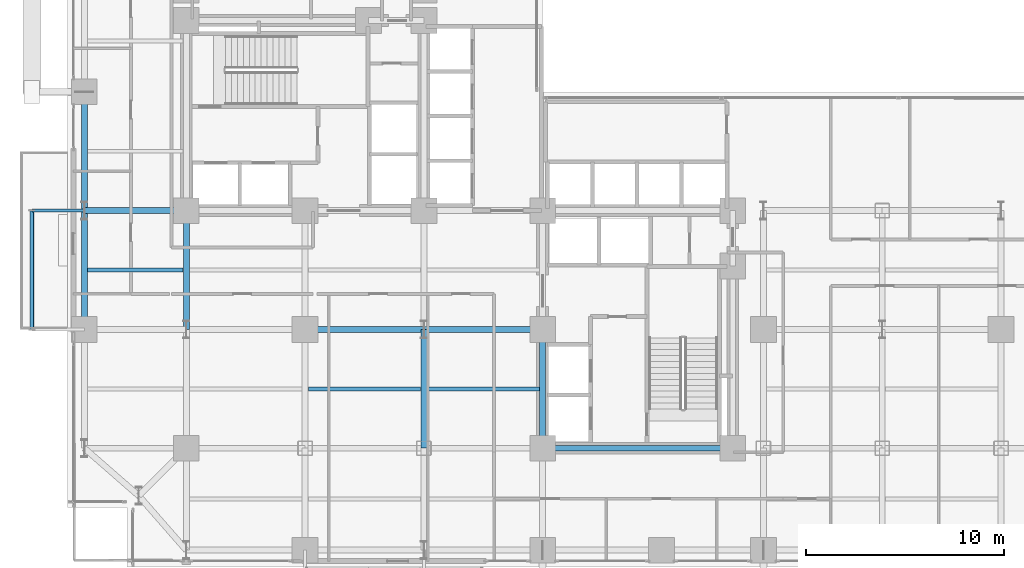
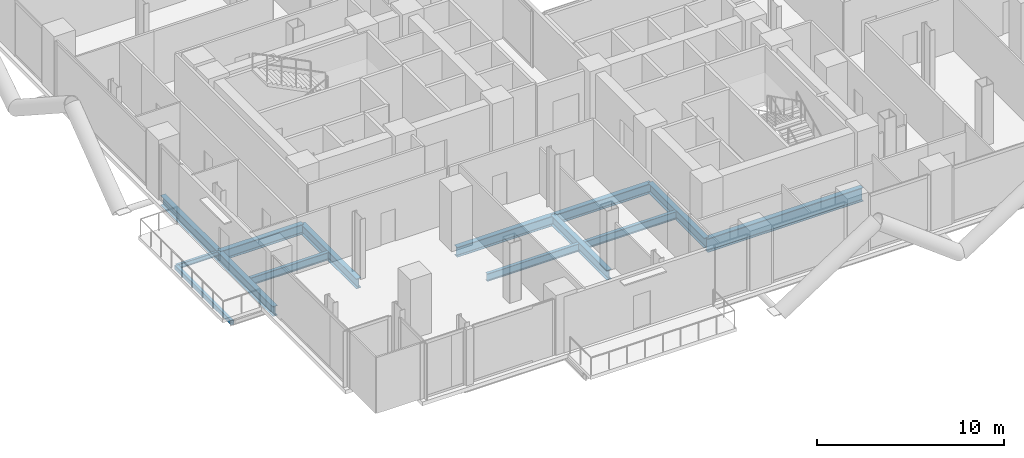
# One storey, part 4 of 25: 14 beams.
"""IFC4 building model written with IfcOpenShell, lengths in metres."""

import ifcopenshell
import ifcopenshell.guid

model = None  # the IFC model being written
_history = None  # IfcOwnerHistory: only IFC2X3 demands one
_inside = {}  # id of a spatial element -> (the spatial element, [elements in it])
_under = {}  # id of a project, library or spatial element -> (it, [spatial elements below it])
_declared = {}  # id of a project -> (the project, [libraries it declares])
_typed = {}  # id of a type object -> (the type object, [elements of that type])
_made_of = {}  # id of a material, layer set ... -> (it, [elements and type objects made of it])


def new_model(schema):
    """Start an empty IFC model of exactly this schema.

    Asked for "IFC4X3", IfcOpenShell would pick the latest addendum, in which some entities
    have other attributes; the version numbers below select the first issue.
    IFC2X3 requires an IfcOwnerHistory on every rooted entity: one is made here for all.
    """
    global model, _history
    if schema == "IFC4X3":
        model = ifcopenshell.file(schema_version=(4, 3, 0, 0))
    else:
        model = ifcopenshell.file(schema=schema)
    _inside.clear()
    _under.clear()
    _declared.clear()
    _typed.clear()
    _made_of.clear()
    _history = None
    if model.schema == "IFC2X3":
        org = make("IfcOrganization", Name="unknown")
        user = make(
            "IfcPersonAndOrganization",
            ThePerson=make("IfcPerson", FamilyName="unknown"),
            TheOrganization=org,
        )
        app = make(
            "IfcApplication",
            ApplicationDeveloper=org,
            Version="unknown",
            ApplicationFullName="unknown",
            ApplicationIdentifier="unknown",
        )
        _history = make(
            "IfcOwnerHistory",
            OwningUser=user,
            OwningApplication=app,
            ChangeAction="ADDED",
            CreationDate=0,
        )
    return model


def make(cls, **values):
    """One entity of the class cls with the attributes given. An attribute that is None is left unset."""
    return model.create_entity(
        cls, **{name: value for name, value in values.items() if value is not None}
    )


def rooted(cls, **values):
    """An entity with a GlobalId (a new one), such as an element, a storey or a relation."""
    return make(cls, GlobalId=ifcopenshell.guid.new(), OwnerHistory=_history, **values)


def si_unit(unit_type, name, prefix=None):
    """IfcSIUnit, for example si_unit("LENGTHUNIT", "METRE", prefix="MILLI")."""
    return make("IfcSIUnit", UnitType=unit_type, Prefix=prefix, Name=name)


def assignment(units):
    """IfcUnitAssignment: the units of a project."""
    return None if units is None else make("IfcUnitAssignment", Units=units)


def point(xyz):
    """IfcCartesianPoint."""
    return None if xyz is None else make("IfcCartesianPoint", Coordinates=xyz)


def direction(xyz):
    """IfcDirection."""
    return None if xyz is None else make("IfcDirection", DirectionRatios=xyz)


def frame(location, z_axis=None, x_axis=None):
    """IfcAxis2Placement3D, a coordinate frame: its origin and axes. An axis left out is left unset."""
    return make(
        "IfcAxis2Placement3D",
        Location=point(location),
        Axis=direction(z_axis),
        RefDirection=direction(x_axis),
    )


def frame_2d(location, x_axis=None):
    """IfcAxis2Placement2D, a coordinate frame in the plane: its origin and x axis."""
    return make(
        "IfcAxis2Placement2D", Location=point(location), RefDirection=direction(x_axis)
    )


def origin():
    """The frame at (0, 0, 0) with its axes left unset."""
    return frame((0.0, 0.0, 0.0))


def origin_2d():
    """The frame at (0, 0) in the plane with its x axis left unset."""
    return frame_2d((0.0, 0.0))


def place(relative_to, where):
    """IfcLocalPlacement: puts the frame where relative to a parent placement (None: the world)."""
    return make(
        "IfcLocalPlacement", PlacementRelTo=relative_to, RelativePlacement=where
    )


def context(
    kind, dimensions, precision=None, world=None, true_north=None, identifier=None
):
    """IfcGeometricRepresentationContext, for example the 3D "Model" context."""
    return make(
        "IfcGeometricRepresentationContext",
        ContextIdentifier=identifier,
        ContextType=kind,
        CoordinateSpaceDimension=dimensions,
        Precision=precision,
        WorldCoordinateSystem=world,
        TrueNorth=true_north,
    )


def subcontext(parent, identifier, kind, view, scale=None):
    """IfcGeometricRepresentationSubContext, for example "Body" below "Model"."""
    return make(
        "IfcGeometricRepresentationSubContext",
        ContextIdentifier=identifier,
        ContextType=kind,
        ParentContext=parent,
        TargetScale=scale,
        TargetView=view,
    )


def project(units=None, contexts=None):
    """IfcProject with its units and contexts."""
    return rooted(
        "IfcProject",
        Name="project",
        RepresentationContexts=contexts,
        UnitsInContext=assignment(units),
    )


def spatial(cls, under=None, at=None, **own):
    """A site, building, storey or space (cls), placed at a placement, below another one or the project."""
    s = rooted(cls, ObjectPlacement=at, **own)
    if under is not None:
        _under.setdefault(under.id(), (under, []))[1].append(s)
    return s


def profile(cls, at=None, kind="AREA", **sizes):
    """A parametric profile (cls). Its sizes go by their IFC names, for example OverallWidth=200.0."""
    return make(cls, ProfileType=kind, Position=at, **sizes)


def hollow_rectangle(**sizes):
    """IfcRectangleHollowProfileDef."""
    return profile("IfcRectangleHollowProfileDef", **sizes)


def i_section(**sizes):
    """IfcIShapeProfileDef."""
    return profile("IfcIShapeProfileDef", **sizes)


def extrude(swept, where, along, depth):
    """IfcExtrudedAreaSolid: the profile swept, set in the frame where, extruded along a direction by depth."""
    return make(
        "IfcExtrudedAreaSolid",
        SweptArea=swept,
        Position=where,
        ExtrudedDirection=direction(along),
        Depth=depth,
    )


def shape(context_of_items, identifier, shape_type, items):
    """IfcShapeRepresentation: the items that make up one representation, for example the "Body"."""
    return make(
        "IfcShapeRepresentation",
        ContextOfItems=context_of_items,
        RepresentationIdentifier=identifier,
        RepresentationType=shape_type,
        Items=items,
    )


def material(Name=None, Category=None):
    """IfcMaterial."""
    return make("IfcMaterial", Name=Name, Category=Category)


def material_profile(
    of_material, cross_section, Name=None, Category=None, Priority=None
):
    """IfcMaterialProfile: a cross section and its material."""
    return make(
        "IfcMaterialProfile",
        Name=Name,
        Material=of_material,
        Profile=cross_section,
        Priority=Priority,
        Category=Category,
    )


def profile_set(profiles, Name=None, composite=None):
    """IfcMaterialProfileSet."""
    return make(
        "IfcMaterialProfileSet",
        Name=Name,
        MaterialProfiles=profiles,
        CompositeProfile=composite,
    )


def made_of(thing, what):
    """Note that an element or type object is made of a material, layer set ...; save() writes the relation."""
    if what is not None:
        _made_of.setdefault(what.id(), (what, []))[1].append(thing)
    return thing


def type_object(cls, material=None, **own):
    """A type object (cls), such as IfcWallType, which elements share."""
    return made_of(rooted(cls, **own), material)


def element(
    cls,
    number,
    at=None,
    inside=None,
    cuts=None,
    type_object=None,
    material=None,
    context=None,
    identifier="Body",
    shape_type=None,
    held_by="IfcProductDefinitionShape",
    body=None,
    shapes=None,
    **own,
):
    """One element of the class cls, such as IfcWall. Its Tag is "e" and its number.

    at: its placement. inside: the storey or other place that contains it. cuts: it is an
    opening in that element (IfcRelVoidsElement). A single representation is given by context,
    identifier, shape_type and body (its items); several are given by shapes. held_by: the class
    of the entity that holds the representations. save() writes the other relations.
    """
    e = rooted(cls, Tag="e%d" % number, ObjectPlacement=at, **own)
    if body is not None:
        shapes = [shape(context, identifier, shape_type, body)]
    if shapes is not None:
        e.Representation = make(held_by, Representations=shapes)
    if inside is not None:
        _inside.setdefault(inside.id(), (inside, []))[1].append(e)
    if cuts is not None:
        rooted(
            "IfcRelVoidsElement", RelatingBuildingElement=cuts, RelatedOpeningElement=e
        )
    if type_object is not None:
        _typed.setdefault(type_object.id(), (type_object, []))[1].append(e)
    return made_of(e, material)


def aggregate(whole, parts):
    """IfcRelAggregates: a whole, such as a stair, and the parts it consists of."""
    return rooted("IfcRelAggregates", RelatingObject=whole, RelatedObjects=parts)


def save(model, path):
    """Write the relations noted so far, then the file.

    IfcRelAggregates (storeys below a building ...), IfcRelContainedInSpatialStructure (elements
    in a storey), IfcRelDefinesByType, IfcRelAssociatesMaterial and IfcRelDeclares: one each for
    every whole, place, type object, material and project.
    """
    for whole, parts in _under.values():
        aggregate(whole, parts)
    for where, things in _inside.values():
        rooted(
            "IfcRelContainedInSpatialStructure",
            RelatedElements=things,
            RelatingStructure=where,
        )
    for kind, things in _typed.values():
        rooted("IfcRelDefinesByType", RelatedObjects=things, RelatingType=kind)
    for what, things in _made_of.values():
        rooted("IfcRelAssociatesMaterial", RelatedObjects=things, RelatingMaterial=what)
    for by, libraries in _declared.values():
        rooted("IfcRelDeclares", RelatingContext=by, RelatedDefinitions=libraries)
    model.write(path)


model = new_model("IFC4")

# Units and contexts
model_context = context("Model", 3, precision=1e-05, world=origin(), true_north=direction((0.0, 1.0)))
body_context = subcontext(model_context, "Body", "Model", "MODEL_VIEW")
ifc_project = project(units=[si_unit("LENGTHUNIT", "METRE"), si_unit("AREAUNIT", "SQUARE_METRE"), si_unit("VOLUMEUNIT", "CUBIC_METRE"), si_unit("PLANEANGLEUNIT", "RADIAN"), si_unit("MASSUNIT", "GRAM", prefix="KILO"), si_unit("THERMODYNAMICTEMPERATUREUNIT", "KELVIN"), si_unit("POWERUNIT", "WATT")], contexts=[model_context])

# Site, building, storey
site_placement = place(None, origin())
site = spatial("IfcSite", under=ifc_project, at=site_placement, CompositionType="ELEMENT")
building_placement = place(site_placement, origin())
building = spatial("IfcBuilding", under=site, at=building_placement, Name="Svarakhadi Broadcast Tower", CompositionType="ELEMENT")
storey_placement = place(building_placement, frame((0.0, 0.0, 36.300048828125)))
storey = spatial("IfcBuildingStorey", under=building, at=storey_placement, Name="L07", CompositionType="ELEMENT", Elevation=36.300048828125)

# Beams
ifc_material_1 = material(Name="Steel S355J2 (IS 2062 E350C)", Category="steel")
ifc_material_profile_1 = material_profile(ifc_material_1, i_section(OverallWidth=0.199951171875, OverallDepth=0.5, WebThickness=0.01025390625, FlangeThickness=0.01611328125, FilletRadius=0.02099609375, at=origin_2d()), Name="NPB 500x200x91")
ifc_profile_set_1 = profile_set([ifc_material_profile_1], Name="Steel S355J2 (IS 2062 E350C)")
beam_type_1 = type_object("IfcBeamType", Name="Beam_NPB500", PredefinedType="BEAM", material=ifc_profile_set_1)
beam_1_placement = place(storey_placement, frame((1.010009765625, 15.0, -0.5), z_axis=(1.0, 0.0, 0.0), x_axis=(0.0, 1.0, 0.0)))
element("IfcBeam", 1, at=beam_1_placement, inside=storey, type_object=beam_type_1, Name="L07 Secondary Composite Beam SB002", PredefinedType="BEAM", context=body_context, shape_type="SweptSolid", body=[
    extrude(i_section(OverallWidth=0.199951171875, OverallDepth=0.5, WebThickness=0.01025390625, FlangeThickness=0.01611328125, FilletRadius=0.02099609375, at=origin_2d()), origin(), (0.0, 0.0, 1.0), 4.830078125),
])
for number, where, z_axis, x_axis, name in (
    (2, (12.159912109375, 9.0, -0.5), (1.0, 0.0, 0.0), (0.0, 1.0, 0.0), "L07 Secondary Composite Beam SB014"),
    (3, (18.159912109375, 9.0, -0.5), (1.0, 0.0, 0.0), (0.0, 1.0, 0.0), "L07 Secondary Composite Beam SB020"),
):
    element("IfcBeam", number, at=place(storey_placement, frame(where, z_axis=z_axis, x_axis=x_axis)), inside=storey, type_object=beam_type_1, Name=name, PredefinedType="BEAM", context=body_context, shape_type="SweptSolid", body=[
        extrude(i_section(OverallWidth=0.199951171875, OverallDepth=0.5, WebThickness=0.01025390625, FlangeThickness=0.01611328125, FilletRadius=0.02099609375, at=origin_2d()), origin(), (0.0, 0.0, 1.0), 5.68017578125),
    ])
ifc_material_profile_2 = material_profile(ifc_material_1, i_section(OverallWidth=0.300048828125, OverallDepth=0.64990234375, WebThickness=0.01611328125, FlangeThickness=0.031005859375, FilletRadius=0.027099609375, at=origin_2d()), Name="WPB 650x300x225")
ifc_profile_set_2 = profile_set([ifc_material_profile_2], Name="Steel S355J2 (IS 2062 E350C)")
beam_type_2 = type_object("IfcBeamType", Name="Girder_WPB650", PredefinedType="USERDEFINED", material=ifc_profile_set_2)
for number, where, z_axis, x_axis, name in (
    (4, (12.0, 12.0, -0.574951171875), (1.0, 0.0, 0.0), (0.0, 1.0, 0.0), "L07 Primary E-W Girder G021"),
    (5, (18.0, 12.0, -0.574951171875), (1.0, 0.0, 0.0), (0.0, 1.0, 0.0), "L07 Primary E-W Girder G022"),
):
    element("IfcBeam", number, at=place(storey_placement, frame(where, z_axis=z_axis, x_axis=x_axis)), inside=storey, type_object=beam_type_2, Name=name, ObjectType="GIRDER", PredefinedType="USERDEFINED", context=body_context, shape_type="SweptSolid", body=[
        extrude(i_section(OverallWidth=0.300048828125, OverallDepth=0.64990234375, WebThickness=0.01611328125, FlangeThickness=0.031005859375, FilletRadius=0.027099609375, at=origin_2d()), origin(), (0.0, 0.0, 1.0), 6.0),
    ])
beam_2_placement = place(storey_placement, frame((0.85009765625, 18.0, -0.574951171875), z_axis=(1.0, 0.0, 0.0), x_axis=(0.0, 1.0, 0.0)))
element("IfcBeam", 6, at=beam_2_placement, inside=storey, type_object=beam_type_2, Name="L07 Primary E-W Girder G025", ObjectType="GIRDER", PredefinedType="USERDEFINED", context=body_context, shape_type="SweptSolid", body=[
    extrude(i_section(OverallWidth=0.300048828125, OverallDepth=0.64990234375, WebThickness=0.01611328125, FlangeThickness=0.031005859375, FilletRadius=0.027099609375, at=origin_2d()), origin(), (0.0, 0.0, 1.0), 5.14990234375),
])
for number, where, z_axis, x_axis, name in (
    (7, (0.85009765625, 12.0, -0.574951171875), (0.0, 1.0, 0.0), (-1.0, 0.0, 0.0), "L07 Primary N-S Girder G046"),
    (8, (0.85009765625, 18.0, -0.574951171875), (0.0, 1.0, 0.0), (-1.0, 0.0, 0.0), "L07 Primary N-S Girder G047"),
    (9, (6.0, 12.0, -0.574951171875), (0.0, 1.0, 0.0), (-1.0, 0.0, 0.0), "L07 Primary N-S Girder G053"),
    (10, (18.0, 6.0, -0.574951171875), (0.0, 1.0, 0.0), (-1.0, 0.0, 0.0), "L07 Primary N-S Girder G065"),
    (11, (24.0, 6.0, -0.574951171875), (0.0, 1.0, 0.0), (-1.0, 0.0, 0.0), "L07 Primary N-S Girder G072"),
):
    element("IfcBeam", number, at=place(storey_placement, frame(where, z_axis=z_axis, x_axis=x_axis)), inside=storey, type_object=beam_type_2, Name=name, ObjectType="GIRDER", PredefinedType="USERDEFINED", context=body_context, shape_type="SweptSolid", body=[
        extrude(i_section(OverallWidth=0.300048828125, OverallDepth=0.64990234375, WebThickness=0.01611328125, FlangeThickness=0.031005859375, FilletRadius=0.027099609375, at=origin_2d()), origin(), (0.0, 0.0, 1.0), 6.0),
    ])
ifc_material_2 = material(Name="Steel S460ML (IS 2062 E450BR)", Category="steel")
ifc_material_profile_3 = material_profile(ifc_material_2, i_section(OverallWidth=0.300048828125, OverallDepth=0.89990234375, WebThickness=0.0185546875, FlangeThickness=0.034912109375, FilletRadius=0.030029296875, at=origin_2d()), Name="WPB 900x300x291")
ifc_profile_set_3 = profile_set([ifc_material_profile_3], Name="Steel S460ML (IS 2062 E450BR)")
beam_type_3 = type_object("IfcBeamType", Name="Girder_WPB900", PredefinedType="USERDEFINED", material=ifc_profile_set_3)
beam_3_placement = place(storey_placement, frame((24.0, 6.0, -0.699951171875), z_axis=(1.0, 0.0, 0.0), x_axis=(0.0, 1.0, 0.0)))
element("IfcBeam", 12, at=beam_3_placement, inside=storey, type_object=beam_type_3, Name="L07 Primary E-W Girder G015", ObjectType="GIRDER", PredefinedType="USERDEFINED", context=body_context, shape_type="SweptSolid", body=[
    extrude(i_section(OverallWidth=0.300048828125, OverallDepth=0.89990234375, WebThickness=0.0185546875, FlangeThickness=0.034912109375, FilletRadius=0.030029296875, at=origin_2d()), origin(), (0.0, 0.0, 1.0), 9.60009765625),
])
ifc_material_profile_4 = material_profile(ifc_material_1, i_section(OverallWidth=0.14990234375, OverallDepth=0.300048828125, WebThickness=0.007080078125, FlangeThickness=0.0107421875, FilletRadius=0.014892578125, at=origin_2d()), Name="NPB 300x150x37")
ifc_profile_set_4 = profile_set([ifc_material_profile_4], Name="Steel S355J2 (IS 2062 E350C)")
beam_type_4 = type_object("IfcBeamType", Name="Spandrel_NPB300", PredefinedType="SPANDREL", material=ifc_profile_set_4)
beam_4_placement = place(storey_placement, frame((0.85009765625, 18.0, -0.400146484375), z_axis=(-1.0, 0.0, 0.0), x_axis=(0.0, -1.0, 0.0)))
element("IfcBeam", 13, at=beam_4_placement, inside=storey, type_object=beam_type_4, Name="L07 Balcony Cantilever Bracket 2B", PredefinedType="SPANDREL", context=body_context, shape_type="SweptSolid", body=[
    extrude(i_section(OverallWidth=0.14990234375, OverallDepth=0.300048828125, WebThickness=0.007080078125, FlangeThickness=0.0107421875, FilletRadius=0.014892578125, at=origin_2d()), origin(), (0.0, 0.0, 1.0), 2.650146484375),
])
ifc_material_profile_5 = material_profile(ifc_material_2, hollow_rectangle(XDim=0.199951171875, YDim=0.300048828125, WallThickness=0.012451171875, InnerFilletRadius=0.012451171875, OuterFilletRadius=0.02490234375, at=origin_2d()), Name="RHS 300x200x12.5")
ifc_profile_set_5 = profile_set([ifc_material_profile_5], Name="Steel S460ML (IS 2062 E450BR)")
beam_type_5 = type_object("IfcBeamType", Name="Spandrel_RHS300", PredefinedType="SPANDREL", material=ifc_profile_set_5)
beam_5_placement = place(storey_placement, frame((-1.800048828125, 12.0, -0.400146484375), z_axis=(0.0, 1.0, 0.0), x_axis=(-1.0, 0.0, 0.0)))
element("IfcBeam", 14, at=beam_5_placement, inside=storey, type_object=beam_type_5, Name="L07 Balcony Outer Spandrel 2F", PredefinedType="SPANDREL", context=body_context, shape_type="SweptSolid", body=[
    extrude(hollow_rectangle(XDim=0.199951171875, YDim=0.300048828125, WallThickness=0.012451171875, InnerFilletRadius=0.012451171875, OuterFilletRadius=0.02490234375, at=origin_2d()), origin(), (0.0, 0.0, 1.0), 6.0),
])

save(model, "model.ifc")
